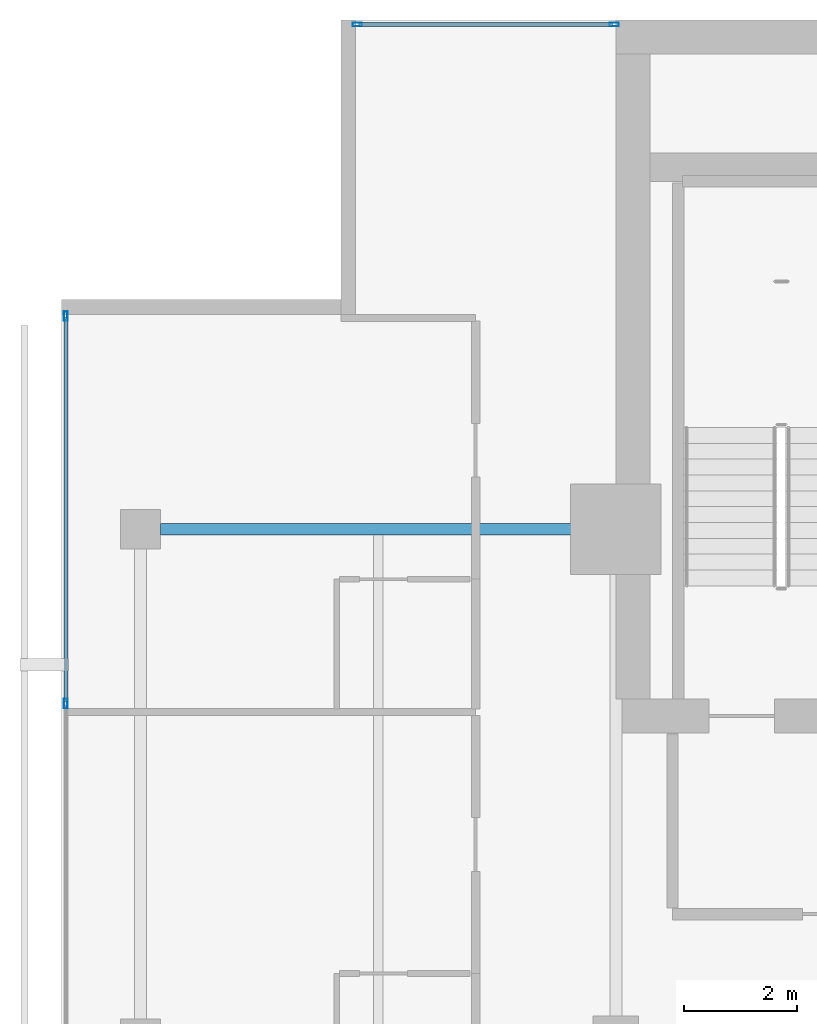
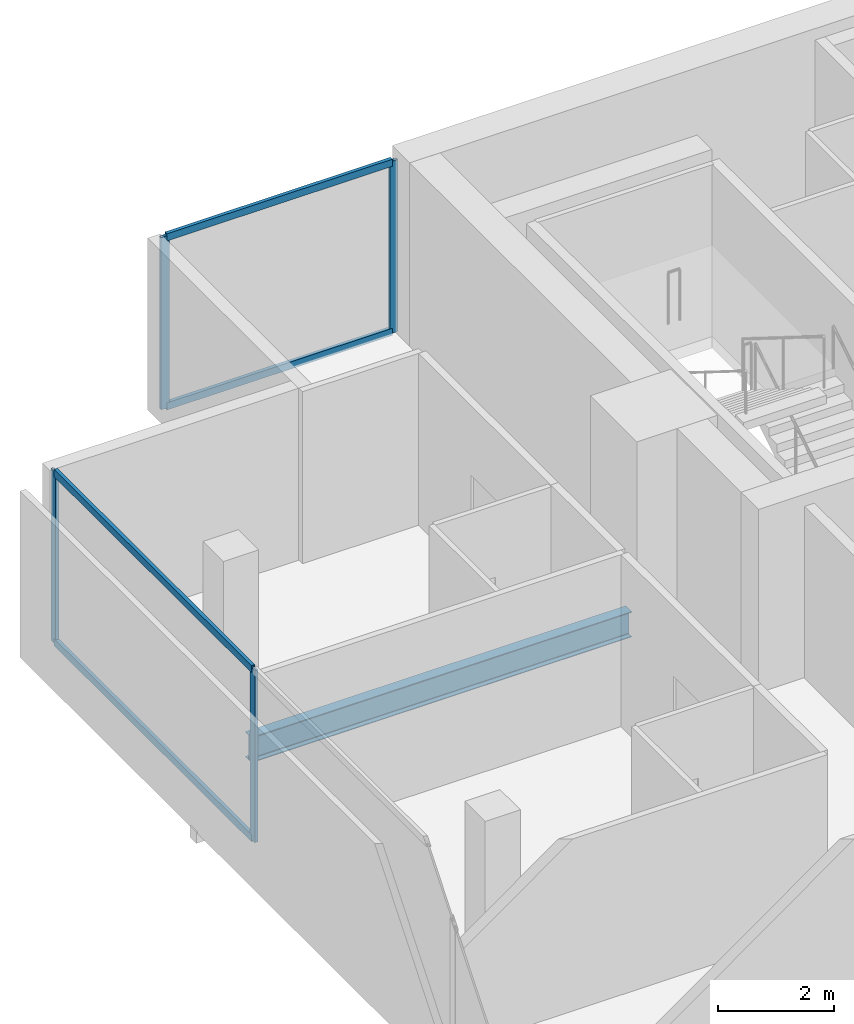
# One storey, part 16 of 26: 8 members, 1 beam, 2 elements without a shape of their own.
"""IFC4 building model written with IfcOpenShell, lengths in metres."""

from ifc_helpers import new_model, si_unit, direction, frame, origin, origin_2d, place, context, subcontext, project, spatial, hollow_rectangle, i_section, extrude, material, layer, layer_set, material_profile, profile_set, type_object, element, aggregate, save


model = new_model("IFC4")

# Units and contexts
model_context = context("Model", 3, precision=1e-05, world=origin(), true_north=direction((0.0, 1.0)))
body_context = subcontext(model_context, "Body", "Model", "MODEL_VIEW")
ifc_project = project(units=[si_unit("LENGTHUNIT", "METRE"), si_unit("AREAUNIT", "SQUARE_METRE"), si_unit("VOLUMEUNIT", "CUBIC_METRE"), si_unit("PLANEANGLEUNIT", "RADIAN"), si_unit("MASSUNIT", "GRAM", prefix="KILO")], contexts=[model_context])

# Site, building, storey
site_placement = place(None, origin())
site = spatial("IfcSite", under=ifc_project, at=site_placement, CompositionType="ELEMENT")
building_placement = place(site_placement, origin())
building = spatial("IfcBuilding", under=site, at=building_placement, Name="Maruvema Waterfront Hotel and Observation Tower", CompositionType="ELEMENT")
storey_placement = place(building_placement, frame((0.0, 0.0, 243.25)))
storey = spatial("IfcBuildingStorey", under=building, at=storey_placement, Name="L59", CompositionType="ELEMENT", Elevation=243.25)

# Curtain wall, members
ifc_material_1 = material(Name="Anodised bronze aluminium and solar-control low-E IGU", Category="aluminium")
ifc_layer = layer(ifc_material_1, 0.159912109375, Name="Zone 3 Champagne Inner Thermal Curtain Wall System CW-04")
ifc_layer_set = layer_set([ifc_layer], Name="Anodised bronze aluminium and solar-control low-E IGU")
curtain_wall_type = type_object("IfcCurtainWallType", Name="Zone 3 Champagne Inner Thermal Curtain Wall System CW-04", PredefinedType="USERDEFINED", material=ifc_layer_set)
curtain_wall_1_placement = place(storey_placement, origin())
curtain_wall_1 = element("IfcCurtainWall", 1, at=curtain_wall_1_placement, inside=storey, type_object=curtain_wall_type, Name="L59 Curtain Wall CW-L59-W", ObjectType="UNITISED CURTAIN WALL", PredefinedType="USERDEFINED")
ifc_material_2 = material(Name="Anodised architectural bronze aluminium", Category="aluminium")
ifc_material_profile_1 = material_profile(ifc_material_2, hollow_rectangle(XDim=0.070068359375, YDim=0.14990234375, WallThickness=0.00390625, at=origin_2d()), Name="ALU-T70x150")
ifc_profile_set_1 = profile_set([ifc_material_profile_1], Name="Anodised architectural bronze aluminium")
member_type_1 = type_object("IfcMemberType", Name="Curtain Wall Horizontal Transom ALU-T70x150", PredefinedType="USERDEFINED", material=ifc_profile_set_1)
member_1_placement = place(storey_placement, frame((15.47998046875, 48.739990234375, 0.030029296875), z_axis=(0.0, -1.0, 0.0), x_axis=(1.0, 0.0, 0.0)))
member_1 = element("IfcMember", 2, at=member_1_placement, type_object=member_type_1, Name="CW-04 transom 1.1", ObjectType="TRANSOM", PredefinedType="USERDEFINED", context=body_context, shape_type="SweptSolid", body=[
    extrude(hollow_rectangle(XDim=0.070068359375, YDim=0.14990234375, WallThickness=0.00390625, at=origin_2d()), origin(), (0.0, 0.0, 1.0), 6.7900390625),
])
member_2_placement = place(storey_placement, frame((15.47998046875, 48.739990234375, 3.580078125), z_axis=(0.0, -1.0, 0.0), x_axis=(1.0, 0.0, 0.0)))
member_2 = element("IfcMember", 3, at=member_2_placement, type_object=member_type_1, Name="CW-04 transom 1.2", ObjectType="TRANSOM", PredefinedType="USERDEFINED", context=body_context, shape_type="SweptSolid", body=[
    extrude(hollow_rectangle(XDim=0.070068359375, YDim=0.14990234375, WallThickness=0.00390625, at=origin_2d()), origin(), (0.0, 0.0, 1.0), 6.7900390625),
])

curtain_wall_2_placement = place(storey_placement, origin())
curtain_wall_2 = element("IfcCurtainWall", 4, at=curtain_wall_2_placement, inside=storey, type_object=curtain_wall_type, Name="L59 Curtain Wall CW-L59-NW", ObjectType="UNITISED CURTAIN WALL", PredefinedType="USERDEFINED")
member_3_placement = place(storey_placement, frame((25.139892578125, 53.919921875, 0.030029296875), z_axis=(-1.0, 0.0, 0.0), x_axis=(0.0, -1.0, 0.0)))
member_3 = element("IfcMember", 5, at=member_3_placement, type_object=member_type_1, Name="CW-04 transom 1.1", ObjectType="TRANSOM", PredefinedType="USERDEFINED", context=body_context, shape_type="SweptSolid", body=[
    extrude(hollow_rectangle(XDim=0.070068359375, YDim=0.14990234375, WallThickness=0.00390625, at=origin_2d()), origin(), (0.0, 0.0, 1.0), 4.47998046875),
])
member_4_placement = place(storey_placement, frame((25.139892578125, 53.919921875, 3.580078125), z_axis=(-1.0, 0.0, 0.0), x_axis=(0.0, -1.0, 0.0)))
member_4 = element("IfcMember", 6, at=member_4_placement, type_object=member_type_1, Name="CW-04 transom 1.2", ObjectType="TRANSOM", PredefinedType="USERDEFINED", context=body_context, shape_type="SweptSolid", body=[
    extrude(hollow_rectangle(XDim=0.070068359375, YDim=0.14990234375, WallThickness=0.00390625, at=origin_2d()), origin(), (0.0, 0.0, 1.0), 4.47998046875),
])

# Member
ifc_material_3 = material(Name="Anodised architectural bronze aluminium", Category="aluminium")
ifc_material_profile_2 = material_profile(ifc_material_3, hollow_rectangle(XDim=0.06494140625, YDim=0.1650390625, WallThickness=0.00390625, at=origin_2d()), Name="ALU-M65x165")
ifc_profile_set_2 = profile_set([ifc_material_profile_2], Name="Anodised architectural bronze aluminium")
member_type_2 = type_object("IfcMemberType", Name="Curtain Wall Primary Mullion ALU-M65x165", PredefinedType="MULLION", material=ifc_profile_set_2)
member_5_placement = place(storey_placement, frame((15.47998046875, 48.77001953125, 0.0), z_axis=(0.0, 0.0, 1.0), x_axis=(1.0, 0.0, 0.0)))
member_5 = element("IfcMember", 7, at=member_5_placement, type_object=member_type_2, Name="CW-04 mullion 1", PredefinedType="MULLION", context=body_context, shape_type="SweptSolid", body=[
    extrude(hollow_rectangle(XDim=0.06494140625, YDim=0.1650390625, WallThickness=0.00390625, at=origin_2d()), origin(), (0.0, 0.0, 1.0), 3.610107421875),
])

member_6_placement = place(storey_placement, frame((15.47998046875, 41.919921875, 0.0), z_axis=(0.0, 0.0, 1.0), x_axis=(1.0, 0.0, 0.0)))
member_6 = element("IfcMember", 8, at=member_6_placement, type_object=member_type_2, Name="CW-04 mullion 2", PredefinedType="MULLION", context=body_context, shape_type="SweptSolid", body=[
    extrude(hollow_rectangle(XDim=0.06494140625, YDim=0.1650390625, WallThickness=0.00390625, at=origin_2d()), origin(), (0.0, 0.0, 1.0), 3.610107421875),
])

aggregate(curtain_wall_1, [member_5, member_6, member_1, member_2])

member_7_placement = place(storey_placement, frame((25.169921875, 53.919921875, 0.0), z_axis=(0.0, 0.0, 1.0), x_axis=(0.0, -1.0, 0.0)))
member_7 = element("IfcMember", 9, at=member_7_placement, type_object=member_type_2, Name="CW-04 mullion 1", PredefinedType="MULLION", context=body_context, shape_type="SweptSolid", body=[
    extrude(hollow_rectangle(XDim=0.06494140625, YDim=0.1650390625, WallThickness=0.00390625, at=origin_2d()), origin(), (0.0, 0.0, 1.0), 3.610107421875),
])

member_8_placement = place(storey_placement, frame((20.6298828125, 53.919921875, 0.0), z_axis=(0.0, 0.0, 1.0), x_axis=(0.0, -1.0, 0.0)))
member_8 = element("IfcMember", 10, at=member_8_placement, type_object=member_type_2, Name="CW-04 mullion 2", PredefinedType="MULLION", context=body_context, shape_type="SweptSolid", body=[
    extrude(hollow_rectangle(XDim=0.06494140625, YDim=0.1650390625, WallThickness=0.00390625, at=origin_2d()), origin(), (0.0, 0.0, 1.0), 3.610107421875),
])

aggregate(curtain_wall_2, [member_7, member_8, member_3, member_4])

# Beam
ifc_material_4 = material(Name="Steel ASTM A572 Grade 50", Category="steel")
ifc_material_profile_3 = material_profile(ifc_material_4, i_section(OverallWidth=0.208984375, OverallDepth=0.532958984375, WebThickness=0.01025390625, FlangeThickness=0.015625, FilletRadius=0.014892578125, at=origin_2d()), Name="W530x92.0")
ifc_profile_set_3 = profile_set([ifc_material_profile_3], Name="Steel ASTM A572 Grade 50")
beam_type = type_object("IfcBeamType", Name="Primary Floor Girder W530x92.0", PredefinedType="BEAM", material=ifc_profile_set_3)
beam_placement = place(storey_placement, frame((17.14990234375, 45.0, -0.506591796875), z_axis=(1.0, 0.0, 0.0), x_axis=(0.0, 1.0, 0.0)))
element("IfcBeam", 11, at=beam_placement, inside=storey, type_object=beam_type, Name="L59 Floor Girder EW-17", PredefinedType="BEAM", context=body_context, shape_type="SweptSolid", body=[
    extrude(i_section(OverallWidth=0.208984375, OverallDepth=0.532958984375, WebThickness=0.01025390625, FlangeThickness=0.015625, FilletRadius=0.014892578125, at=origin_2d()), origin(), (0.0, 0.0, 1.0), 7.550048828125),
])

save(model, "model.ifc")
